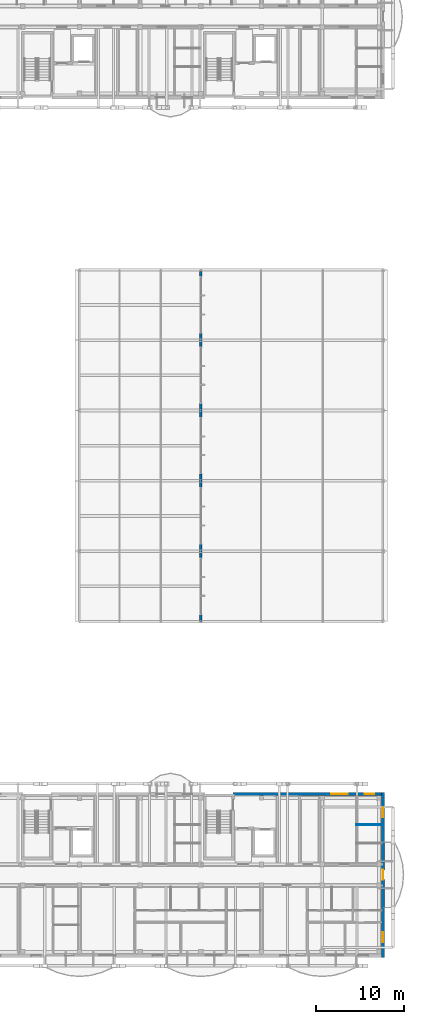
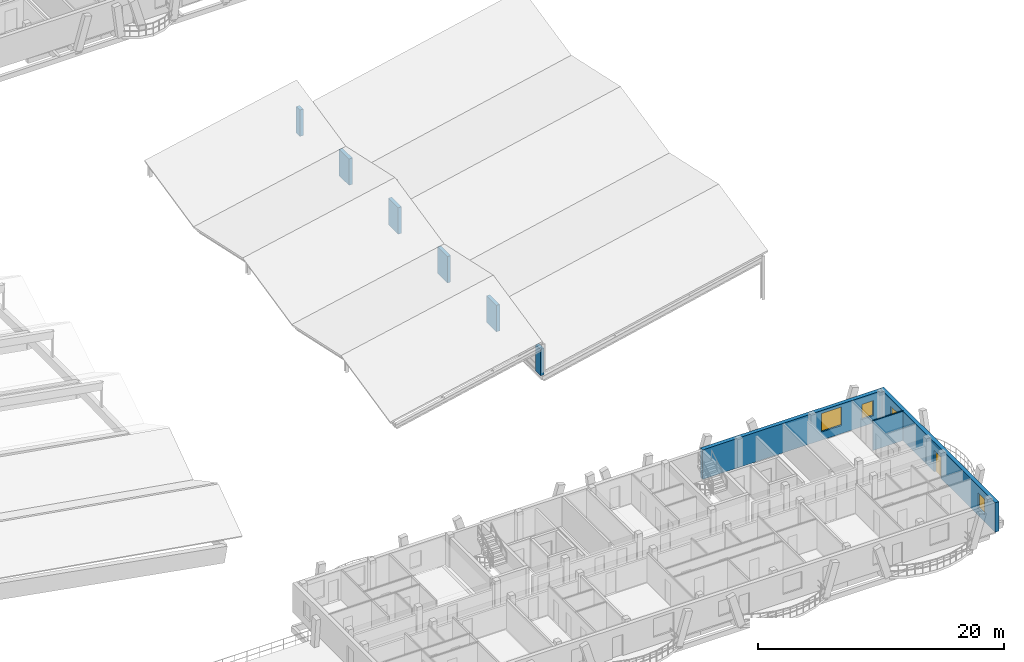
# One storey, part 81 of 109: 9 walls, 4 windows, 1 door, 5 openings.
"""IFC4 building model written with IfcOpenShell, lengths in metres."""

from ifc_helpers import new_model, si_unit, direction, frame, frame_2d, origin, origin_with_axes, place, context, subcontext, project, spatial, rectangle, extrude, material, layer, layer_set, type_object, element, fill, save


model = new_model("IFC4")

# Units and contexts
model_context = context("Model", 3, precision=1e-05, world=origin(), true_north=direction((0.0, 1.0)))
body_context = subcontext(model_context, "Body", "Model", "MODEL_VIEW")
ifc_project = project(units=[si_unit("LENGTHUNIT", "METRE"), si_unit("AREAUNIT", "SQUARE_METRE"), si_unit("VOLUMEUNIT", "CUBIC_METRE"), si_unit("PLANEANGLEUNIT", "RADIAN"), si_unit("MASSUNIT", "GRAM", prefix="KILO")], contexts=[model_context])

# Site, building, storey
site_placement = place(None, origin())
site = spatial("IfcSite", under=ifc_project, at=site_placement, CompositionType="ELEMENT")
building_placement = place(site_placement, origin())
building = spatial("IfcBuilding", under=site, at=building_placement, Name="Zavelmont Quarter", CompositionType="ELEMENT")
storey_placement = place(building_placement, frame((0.0, 0.0, 8.0)))
storey = spatial("IfcBuildingStorey", under=building, at=storey_placement, Name="L02", CompositionType="ELEMENT", Elevation=8.0)

# Wall, openings, windows
ifc_material_1 = material(Name="Natural Belgian limestone", Category="masonry")
ifc_layer_1 = layer(ifc_material_1, 0.360107421875)
ifc_layer_set_1 = layer_set([ifc_layer_1], Name="Natural Belgian limestone")
wall_type_1 = type_object("IfcWallType", Name="EW02", PredefinedType="STANDARD", material=ifc_layer_set_1)
wall_1_placement = place(storey_placement, frame((150.949951171875, 18.39990234375, 0.0), z_axis=(0.0, 0.0, 1.0), x_axis=(1.0, 0.0, 0.0)))
wall_1 = element("IfcWall", 1, at=wall_1_placement, inside=storey, type_object=wall_type_1, Name="L02 exterior limestone wall EW02", PredefinedType="STANDARD", context=body_context, shape_type="SweptSolid", body=[
    extrude(rectangle(XDim=16.880126953125, YDim=0.360107421875, at=frame_2d((8.43994140625, 0.0))), origin(), (0.0, 0.0, 1.0), 2.93994140625),
])
opening_1_placement = place(wall_1_placement, frame((11.169921875, 0.0, 0.800048828125)))
opening_1 = element("IfcOpeningElement", 2, at=opening_1_placement, cuts=wall_1, Name="Opening WN20", PredefinedType="OPENING", context=body_context, shape_type="SweptSolid", body=[
    extrude(rectangle(XDim=1.89990234375, YDim=1.85009765625, at=frame_2d((0.949951171875, 0.925048828125))), frame((0.0, 0.19189453125, 0.0), z_axis=(0.0, -1.0, 0.0), x_axis=(1.0, 0.0, 0.0)), (0.0, 0.0, 1.0), 0.384033203125),
])
opening_2_placement = place(wall_1_placement, frame((14.969970703125, 0.0, 0.719970703125)))
opening_2 = element("IfcOpeningElement", 3, at=opening_2_placement, cuts=wall_1, Name="Opening WN09", PredefinedType="OPENING", context=body_context, shape_type="SweptSolid", body=[
    extrude(rectangle(XDim=1.10009765625, YDim=1.5, at=frame_2d((0.550048828125, 0.75))), frame((0.0, 0.19189453125, 0.0), z_axis=(0.0, -1.0, 0.0), x_axis=(1.0, 0.0, 0.0)), (0.0, 0.0, 1.0), 0.384033203125),
])
ifc_material_2 = material(Name="Double low-E insulated glazing in thermally broken aluminium frame", Category="aluminium")
window_type_1 = type_object("IfcWindowType", Name="WN09", PartitioningType="SINGLE_PANEL", PredefinedType="WINDOW", material=ifc_material_2)
window_1_placement = place(opening_2_placement, origin_with_axes())
window_1 = element("IfcWindow", 4, at=window_1_placement, inside=storey, type_object=window_type_1, Name="L02 window WN09", OverallHeight=1.5, OverallWidth=1.10009765625, PartitioningType="SINGLE_PANEL", PredefinedType="WINDOW", context=body_context, shape_type="SweptSolid", body=[
    extrude(rectangle(XDim=1.10009765625, YDim=1.5, at=frame_2d((0.550048828125, 0.75))), frame((0.0, 0.030029296875, 0.0), z_axis=(0.0, -1.0, 0.0), x_axis=(1.0, 0.0, 0.0)), (0.0, 0.0, 1.0), 0.06005859375),
])
fill(opening_2, window_1)
window_type_2 = type_object("IfcWindowType", Name="WN20", PartitioningType="SINGLE_PANEL", PredefinedType="WINDOW", material=ifc_material_2)
window_2_placement = place(opening_1_placement, origin_with_axes())
window_2 = element("IfcWindow", 5, at=window_2_placement, inside=storey, type_object=window_type_2, Name="L02 window WN20", OverallHeight=1.85009765625, OverallWidth=1.89990234375, PartitioningType="SINGLE_PANEL", PredefinedType="WINDOW", context=body_context, shape_type="SweptSolid", body=[
    extrude(rectangle(XDim=1.89990234375, YDim=1.85009765625, at=frame_2d((0.949951171875, 0.925048828125))), frame((0.0, 0.030029296875, 0.0), z_axis=(0.0, -1.0, 0.0), x_axis=(1.0, 0.0, 0.0)), (0.0, 0.0, 1.0), 0.06005859375),
])
fill(opening_1, window_2)

# Wall, openings, door, windows
wall_2_placement = place(storey_placement, frame((168.0, -0.179931640625, 0.0), z_axis=(0.0, 0.0, 1.0), x_axis=(0.0, 1.0, 0.0)))
wall_2 = element("IfcWall", 6, at=wall_2_placement, inside=storey, type_object=wall_type_1, Name="L02 exterior limestone wall EW02", PredefinedType="STANDARD", context=body_context, shape_type="SweptSolid", body=[
    extrude(rectangle(XDim=18.760009765625, YDim=0.360107421875, at=frame_2d((9.3798828125, 0.0))), origin(), (0.0, 0.0, 1.0), 2.93994140625),
])
opening_3_placement = place(wall_2_placement, frame((8.830078125, 0.0, 0.0)))
opening_3 = element("IfcOpeningElement", 7, at=opening_3_placement, cuts=wall_2, Name="Opening DR04B", PredefinedType="OPENING", context=body_context, shape_type="SweptSolid", body=[
    extrude(rectangle(XDim=1.10009765625, YDim=2.10009765625, at=frame_2d((0.550048828125, 1.050048828125))), frame((0.0, 0.19189453125, 0.0), z_axis=(0.0, -1.0, 0.0), x_axis=(1.0, 0.0, 0.0)), (0.0, 0.0, 1.0), 0.384033203125),
])
opening_4_placement = place(wall_2_placement, frame((1.72998046875, 0.0, 0.719970703125)))
opening_4 = element("IfcOpeningElement", 8, at=opening_4_placement, cuts=wall_2, Name="Opening WN09", PredefinedType="OPENING", context=body_context, shape_type="SweptSolid", body=[
    extrude(rectangle(XDim=1.10009765625, YDim=1.5, at=frame_2d((0.550048828125, 0.75))), frame((0.0, 0.19189453125, 0.0), z_axis=(0.0, -1.0, 0.0), x_axis=(1.0, 0.0, 0.0)), (0.0, 0.0, 1.0), 0.384033203125),
])
opening_5_placement = place(wall_2_placement, frame((15.929931640625, 0.0, 0.719970703125)))
opening_5 = element("IfcOpeningElement", 9, at=opening_5_placement, cuts=wall_2, Name="Opening WN09", PredefinedType="OPENING", context=body_context, shape_type="SweptSolid", body=[
    extrude(rectangle(XDim=1.10009765625, YDim=1.5, at=frame_2d((0.550048828125, 0.75))), frame((0.0, 0.19189453125, 0.0), z_axis=(0.0, -1.0, 0.0), x_axis=(1.0, 0.0, 0.0)), (0.0, 0.0, 1.0), 0.384033203125),
])
ifc_material_3 = material(Name="Thermally broken aluminium and double safety glass", Category="aluminium")
door_type = type_object("IfcDoorType", Name="DR04B", OperationType="NOTDEFINED", PredefinedType="DOOR", material=ifc_material_3)
door_placement = place(opening_3_placement, origin_with_axes())
door = element("IfcDoor", 10, at=door_placement, inside=storey, type_object=door_type, Name="Block D L02 terrace or vase balcony door", OperationType="SINGLE_SWING_RIGHT", OverallHeight=2.10009765625, OverallWidth=1.10009765625, PredefinedType="DOOR", context=body_context, shape_type="SweptSolid", body=[
    extrude(rectangle(XDim=1.10009765625, YDim=2.10009765625, at=frame_2d((0.550048828125, 1.050048828125))), frame((0.0, 0.02490234375, 0.0), z_axis=(0.0, -1.0, 0.0), x_axis=(1.0, 0.0, 0.0)), (0.0, 0.0, 1.0), 0.050048828125),
])
fill(opening_3, door)
window_3_placement = place(opening_4_placement, origin_with_axes())
window_3 = element("IfcWindow", 11, at=window_3_placement, inside=storey, type_object=window_type_1, Name="L02 window WN09", OverallHeight=1.5, OverallWidth=1.10009765625, PartitioningType="SINGLE_PANEL", PredefinedType="WINDOW", context=body_context, shape_type="SweptSolid", body=[
    extrude(rectangle(XDim=1.10009765625, YDim=1.5, at=frame_2d((0.550048828125, 0.75))), frame((0.0, 0.030029296875, 0.0), z_axis=(0.0, -1.0, 0.0), x_axis=(1.0, 0.0, 0.0)), (0.0, 0.0, 1.0), 0.06005859375),
])
fill(opening_4, window_3)
window_4_placement = place(opening_5_placement, origin_with_axes())
window_4 = element("IfcWindow", 12, at=window_4_placement, inside=storey, type_object=window_type_1, Name="L02 window WN09", OverallHeight=1.5, OverallWidth=1.10009765625, PartitioningType="SINGLE_PANEL", PredefinedType="WINDOW", context=body_context, shape_type="SweptSolid", body=[
    extrude(rectangle(XDim=1.10009765625, YDim=1.5, at=frame_2d((0.550048828125, 0.75))), frame((0.0, 0.030029296875, 0.0), z_axis=(0.0, -1.0, 0.0), x_axis=(1.0, 0.0, 0.0)), (0.0, 0.0, 1.0), 0.06005859375),
])
fill(opening_5, window_4)

# Walls
ifc_layer_2 = layer(ifc_material_1, 0.320068359375)
ifc_layer_set_2 = layer_set([ifc_layer_2], Name="Natural Belgian limestone")
wall_type_2 = type_object("IfcWallType", Name="EW05", PredefinedType="STANDARD", material=ifc_layer_set_2)
wall_3_placement = place(storey_placement, frame((147.300048828125, 38.0, -0.360107421875), z_axis=(0.0, 0.0, 1.0), x_axis=(0.0, 1.0, 0.0)))
element("IfcWall", 13, at=wall_3_placement, inside=storey, type_object=wall_type_2, Name="L02 exterior limestone wall EW05", PredefinedType="STANDARD", context=body_context, shape_type="SweptSolid", body=[
    extrude(rectangle(XDim=0.800048828125, YDim=0.320068359375, at=frame_2d((0.39990234375, 0.0))), origin(), (0.0, 0.0, 1.0), 2.630126953125),
])
for number, where, z_axis, x_axis, name in (
    (14, (147.300048828125, 45.199951171875, -0.360107421875), (0.0, 0.0, 1.0), (0.0, 1.0, 0.0), "L02 exterior limestone wall EW05"),
    (15, (147.300048828125, 53.199951171875, -0.360107421875), (0.0, 0.0, 1.0), (0.0, 1.0, 0.0), "L02 exterior limestone wall EW05"),
    (16, (147.300048828125, 61.199951171875, -0.360107421875), (0.0, 0.0, 1.0), (0.0, 1.0, 0.0), "L02 exterior limestone wall EW05"),
    (17, (147.300048828125, 69.199951171875, -0.360107421875), (0.0, 0.0, 1.0), (0.0, 1.0, 0.0), "L02 exterior limestone wall EW05"),
):
    element("IfcWall", number, at=place(storey_placement, frame(where, z_axis=z_axis, x_axis=x_axis)), inside=storey, type_object=wall_type_2, Name=name, PredefinedType="STANDARD", context=body_context, shape_type="SweptSolid", body=[
        extrude(rectangle(XDim=1.60009765625, YDim=0.320068359375, at=frame_2d((0.800048828125, 0.0))), origin(), (0.0, 0.0, 1.0), 2.630126953125),
    ])
wall_4_placement = place(storey_placement, frame((147.300048828125, 77.199951171875, -0.360107421875), z_axis=(0.0, 0.0, 1.0), x_axis=(0.0, 1.0, 0.0)))
element("IfcWall", 18, at=wall_4_placement, inside=storey, type_object=wall_type_2, Name="L02 exterior limestone wall EW05", PredefinedType="STANDARD", context=body_context, shape_type="SweptSolid", body=[
    extrude(rectangle(XDim=0.60009765625, YDim=0.320068359375, at=frame_2d((0.300048828125, 0.0))), origin(), (0.0, 0.0, 1.0), 2.630126953125),
])
ifc_material_4 = material(Name="Moisture-resistant gypsum board on steel stud", Category="steel")
ifc_layer_3 = layer(ifc_material_4, 0.10009765625)
ifc_layer_set_3 = layer_set([ifc_layer_3], Name="Moisture-resistant gypsum board on steel stud")
wall_type_3 = type_object("IfcWallType", Name="IW04", PredefinedType="PARTITIONING", material=ifc_layer_set_3)
wall_5_placement = place(storey_placement, frame((165.0, 14.89990234375, 0.0), z_axis=(0.0, 0.0, 1.0), x_axis=(1.0, 0.0, 0.0)))
element("IfcWall", 19, at=wall_5_placement, inside=storey, type_object=wall_type_3, Name="L02 Partition IW04", PredefinedType="PARTITIONING", context=body_context, shape_type="SweptSolid", body=[
    extrude(rectangle(XDim=2.89990234375, YDim=0.10009765625, at=frame_2d((1.449951171875, 0.0))), origin(), (0.0, 0.0, 1.0), 2.93994140625),
])

save(model, "model.ifc")
